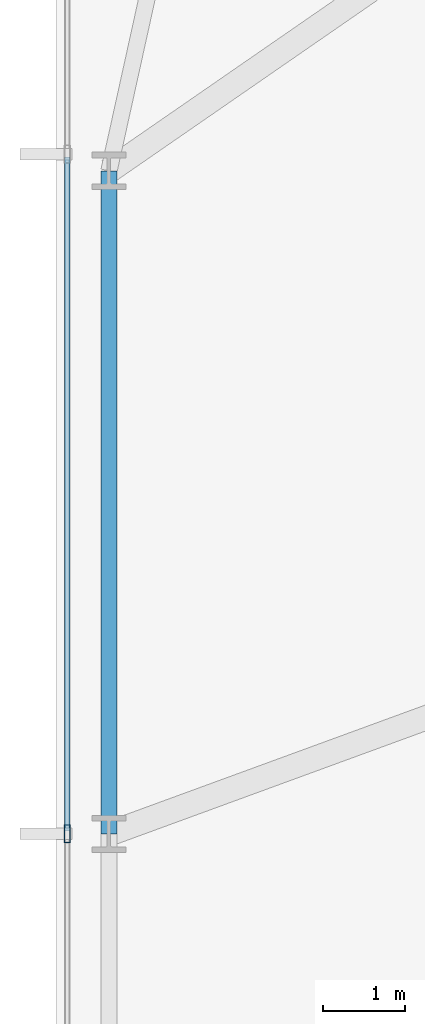
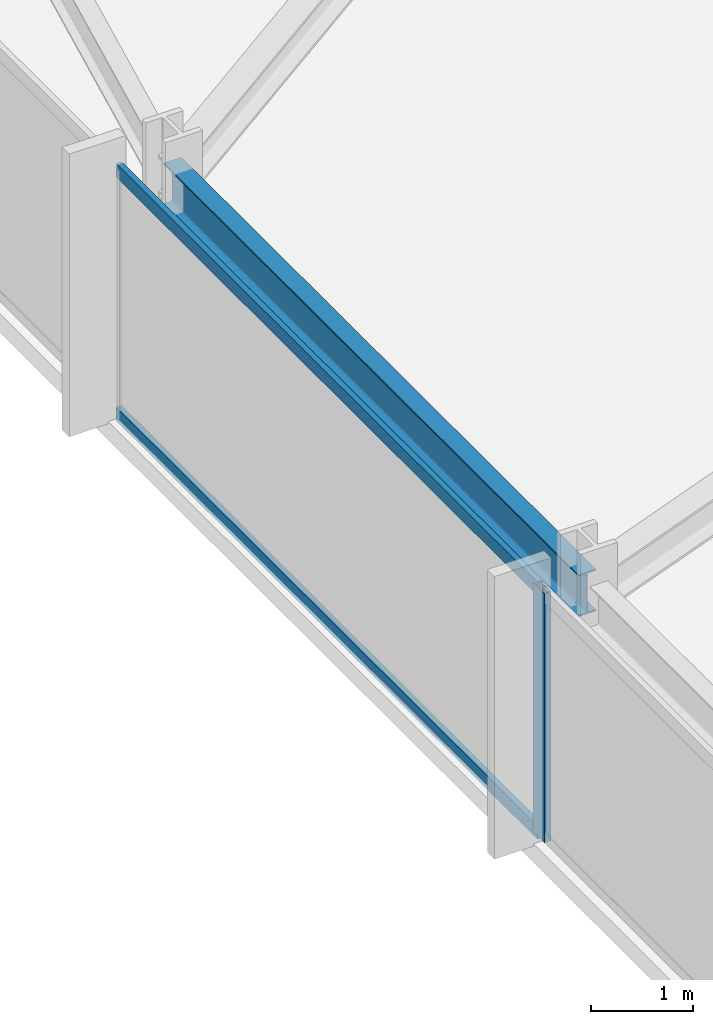
# One storey, part 7 of 32: 3 members, 1 beam, 1 element without a shape of its own.
"""IFC4 building model written with IfcOpenShell, lengths in metres."""

import ifcopenshell
import ifcopenshell.guid

model = None  # the IFC model being written
_history = None  # IfcOwnerHistory: only IFC2X3 demands one
_inside = {}  # id of a spatial element -> (the spatial element, [elements in it])
_under = {}  # id of a project, library or spatial element -> (it, [spatial elements below it])
_declared = {}  # id of a project -> (the project, [libraries it declares])
_typed = {}  # id of a type object -> (the type object, [elements of that type])
_made_of = {}  # id of a material, layer set ... -> (it, [elements and type objects made of it])


def new_model(schema):
    """Start an empty IFC model of exactly this schema.

    Asked for "IFC4X3", IfcOpenShell would pick the latest addendum, in which some entities
    have other attributes; the version numbers below select the first issue.
    IFC2X3 requires an IfcOwnerHistory on every rooted entity: one is made here for all.
    """
    global model, _history
    if schema == "IFC4X3":
        model = ifcopenshell.file(schema_version=(4, 3, 0, 0))
    else:
        model = ifcopenshell.file(schema=schema)
    _inside.clear()
    _under.clear()
    _declared.clear()
    _typed.clear()
    _made_of.clear()
    _history = None
    if model.schema == "IFC2X3":
        org = make("IfcOrganization", Name="unknown")
        user = make(
            "IfcPersonAndOrganization",
            ThePerson=make("IfcPerson", FamilyName="unknown"),
            TheOrganization=org,
        )
        app = make(
            "IfcApplication",
            ApplicationDeveloper=org,
            Version="unknown",
            ApplicationFullName="unknown",
            ApplicationIdentifier="unknown",
        )
        _history = make(
            "IfcOwnerHistory",
            OwningUser=user,
            OwningApplication=app,
            ChangeAction="ADDED",
            CreationDate=0,
        )
    return model


def make(cls, **values):
    """One entity of the class cls with the attributes given. An attribute that is None is left unset."""
    return model.create_entity(
        cls, **{name: value for name, value in values.items() if value is not None}
    )


def rooted(cls, **values):
    """An entity with a GlobalId (a new one), such as an element, a storey or a relation."""
    return make(cls, GlobalId=ifcopenshell.guid.new(), OwnerHistory=_history, **values)


def si_unit(unit_type, name, prefix=None):
    """IfcSIUnit, for example si_unit("LENGTHUNIT", "METRE", prefix="MILLI")."""
    return make("IfcSIUnit", UnitType=unit_type, Prefix=prefix, Name=name)


def assignment(units):
    """IfcUnitAssignment: the units of a project."""
    return None if units is None else make("IfcUnitAssignment", Units=units)


def point(xyz):
    """IfcCartesianPoint."""
    return None if xyz is None else make("IfcCartesianPoint", Coordinates=xyz)


def direction(xyz):
    """IfcDirection."""
    return None if xyz is None else make("IfcDirection", DirectionRatios=xyz)


def frame(location, z_axis=None, x_axis=None):
    """IfcAxis2Placement3D, a coordinate frame: its origin and axes. An axis left out is left unset."""
    return make(
        "IfcAxis2Placement3D",
        Location=point(location),
        Axis=direction(z_axis),
        RefDirection=direction(x_axis),
    )


def frame_2d(location, x_axis=None):
    """IfcAxis2Placement2D, a coordinate frame in the plane: its origin and x axis."""
    return make(
        "IfcAxis2Placement2D", Location=point(location), RefDirection=direction(x_axis)
    )


def origin():
    """The frame at (0, 0, 0) with its axes left unset."""
    return frame((0.0, 0.0, 0.0))


def origin_2d():
    """The frame at (0, 0) in the plane with its x axis left unset."""
    return frame_2d((0.0, 0.0))


def place(relative_to, where):
    """IfcLocalPlacement: puts the frame where relative to a parent placement (None: the world)."""
    return make(
        "IfcLocalPlacement", PlacementRelTo=relative_to, RelativePlacement=where
    )


def context(
    kind, dimensions, precision=None, world=None, true_north=None, identifier=None
):
    """IfcGeometricRepresentationContext, for example the 3D "Model" context."""
    return make(
        "IfcGeometricRepresentationContext",
        ContextIdentifier=identifier,
        ContextType=kind,
        CoordinateSpaceDimension=dimensions,
        Precision=precision,
        WorldCoordinateSystem=world,
        TrueNorth=true_north,
    )


def subcontext(parent, identifier, kind, view, scale=None):
    """IfcGeometricRepresentationSubContext, for example "Body" below "Model"."""
    return make(
        "IfcGeometricRepresentationSubContext",
        ContextIdentifier=identifier,
        ContextType=kind,
        ParentContext=parent,
        TargetScale=scale,
        TargetView=view,
    )


def project(units=None, contexts=None):
    """IfcProject with its units and contexts."""
    return rooted(
        "IfcProject",
        Name="project",
        RepresentationContexts=contexts,
        UnitsInContext=assignment(units),
    )


def spatial(cls, under=None, at=None, **own):
    """A site, building, storey or space (cls), placed at a placement, below another one or the project."""
    s = rooted(cls, ObjectPlacement=at, **own)
    if under is not None:
        _under.setdefault(under.id(), (under, []))[1].append(s)
    return s


def profile(cls, at=None, kind="AREA", **sizes):
    """A parametric profile (cls). Its sizes go by their IFC names, for example OverallWidth=200.0."""
    return make(cls, ProfileType=kind, Position=at, **sizes)


def hollow_rectangle(**sizes):
    """IfcRectangleHollowProfileDef."""
    return profile("IfcRectangleHollowProfileDef", **sizes)


def i_section(**sizes):
    """IfcIShapeProfileDef."""
    return profile("IfcIShapeProfileDef", **sizes)


def extrude(swept, where, along, depth):
    """IfcExtrudedAreaSolid: the profile swept, set in the frame where, extruded along a direction by depth."""
    return make(
        "IfcExtrudedAreaSolid",
        SweptArea=swept,
        Position=where,
        ExtrudedDirection=direction(along),
        Depth=depth,
    )


def shape(context_of_items, identifier, shape_type, items):
    """IfcShapeRepresentation: the items that make up one representation, for example the "Body"."""
    return make(
        "IfcShapeRepresentation",
        ContextOfItems=context_of_items,
        RepresentationIdentifier=identifier,
        RepresentationType=shape_type,
        Items=items,
    )


def material(Name=None, Category=None):
    """IfcMaterial."""
    return make("IfcMaterial", Name=Name, Category=Category)


def material_profile(
    of_material, cross_section, Name=None, Category=None, Priority=None
):
    """IfcMaterialProfile: a cross section and its material."""
    return make(
        "IfcMaterialProfile",
        Name=Name,
        Material=of_material,
        Profile=cross_section,
        Priority=Priority,
        Category=Category,
    )


def profile_set(profiles, Name=None, composite=None):
    """IfcMaterialProfileSet."""
    return make(
        "IfcMaterialProfileSet",
        Name=Name,
        MaterialProfiles=profiles,
        CompositeProfile=composite,
    )


def made_of(thing, what):
    """Note that an element or type object is made of a material, layer set ...; save() writes the relation."""
    if what is not None:
        _made_of.setdefault(what.id(), (what, []))[1].append(thing)
    return thing


def type_object(cls, material=None, **own):
    """A type object (cls), such as IfcWallType, which elements share."""
    return made_of(rooted(cls, **own), material)


def element(
    cls,
    number,
    at=None,
    inside=None,
    cuts=None,
    type_object=None,
    material=None,
    context=None,
    identifier="Body",
    shape_type=None,
    held_by="IfcProductDefinitionShape",
    body=None,
    shapes=None,
    **own,
):
    """One element of the class cls, such as IfcWall. Its Tag is "e" and its number.

    at: its placement. inside: the storey or other place that contains it. cuts: it is an
    opening in that element (IfcRelVoidsElement). A single representation is given by context,
    identifier, shape_type and body (its items); several are given by shapes. held_by: the class
    of the entity that holds the representations. save() writes the other relations.
    """
    e = rooted(cls, Tag="e%d" % number, ObjectPlacement=at, **own)
    if body is not None:
        shapes = [shape(context, identifier, shape_type, body)]
    if shapes is not None:
        e.Representation = make(held_by, Representations=shapes)
    if inside is not None:
        _inside.setdefault(inside.id(), (inside, []))[1].append(e)
    if cuts is not None:
        rooted(
            "IfcRelVoidsElement", RelatingBuildingElement=cuts, RelatedOpeningElement=e
        )
    if type_object is not None:
        _typed.setdefault(type_object.id(), (type_object, []))[1].append(e)
    return made_of(e, material)


def aggregate(whole, parts):
    """IfcRelAggregates: a whole, such as a stair, and the parts it consists of."""
    return rooted("IfcRelAggregates", RelatingObject=whole, RelatedObjects=parts)


def save(model, path):
    """Write the relations noted so far, then the file.

    IfcRelAggregates (storeys below a building ...), IfcRelContainedInSpatialStructure (elements
    in a storey), IfcRelDefinesByType, IfcRelAssociatesMaterial and IfcRelDeclares: one each for
    every whole, place, type object, material and project.
    """
    for whole, parts in _under.values():
        aggregate(whole, parts)
    for where, things in _inside.values():
        rooted(
            "IfcRelContainedInSpatialStructure",
            RelatedElements=things,
            RelatingStructure=where,
        )
    for kind, things in _typed.values():
        rooted("IfcRelDefinesByType", RelatedObjects=things, RelatingType=kind)
    for what, things in _made_of.values():
        rooted("IfcRelAssociatesMaterial", RelatedObjects=things, RelatingMaterial=what)
    for by, libraries in _declared.values():
        rooted("IfcRelDeclares", RelatingContext=by, RelatedDefinitions=libraries)
    model.write(path)


model = new_model("IFC4")

# Units and contexts
model_context = context("Model", 3, precision=1e-05, world=origin(), true_north=direction((0.0, 1.0)))
body_context = subcontext(model_context, "Body", "Model", "MODEL_VIEW")
ifc_project = project(units=[si_unit("LENGTHUNIT", "METRE"), si_unit("AREAUNIT", "SQUARE_METRE"), si_unit("VOLUMEUNIT", "CUBIC_METRE"), si_unit("PLANEANGLEUNIT", "RADIAN"), si_unit("MASSUNIT", "GRAM", prefix="KILO")], contexts=[model_context])

# Site, building, storey
site_placement = place(None, origin())
site = spatial("IfcSite", under=ifc_project, at=site_placement, CompositionType="ELEMENT")
building_placement = place(site_placement, origin())
building = spatial("IfcBuilding", under=site, at=building_placement, Name="Yelkora Congress Tower", CompositionType="ELEMENT")
storey_placement = place(building_placement, frame((0.0, 0.0, 74.60009765625)))
storey = spatial("IfcBuildingStorey", under=building, at=storey_placement, Name="L19", CompositionType="ELEMENT", Elevation=74.60009765625)

# Beam
ifc_material_1 = material(Name="Steel S355J2", Category="steel")
ifc_material_profile_1 = material_profile(ifc_material_1, i_section(OverallWidth=0.199951171875, OverallDepth=0.5, WebThickness=0.01025390625, FlangeThickness=0.01611328125, FilletRadius=0.02099609375, at=origin_2d()), Name="IPE 500")
ifc_profile_set_1 = profile_set([ifc_material_profile_1], Name="Steel S355J2")
beam_type = type_object("IfcBeamType", Name="BM-SPAN-IPE500", PredefinedType="SPANDREL", material=ifc_profile_set_1)
beam_placement = place(storey_placement, frame((6.64990234375, 37.52490234375, 2.72998046875), z_axis=(0.0, -1.0, 0.0), x_axis=(1.0, 0.0, 0.0)))
element("IfcBeam", 1, at=beam_placement, inside=storey, type_object=beam_type, Name="L19 Perimeter Beam 18", PredefinedType="SPANDREL", context=body_context, shape_type="SweptSolid", body=[
    extrude(i_section(OverallWidth=0.199951171875, OverallDepth=0.5, WebThickness=0.01025390625, FlangeThickness=0.01611328125, FilletRadius=0.02099609375, at=origin_2d()), origin(), (0.0, 0.0, 1.0), 8.125),
])

# Curtain wall, members
ifc_material_2 = material(Name="Anodised aluminium and insulated glass", Category="aluminium")
curtain_wall_type = type_object("IfcCurtainWallType", Name="CW-SYS-B1", PredefinedType="NOTDEFINED", material=ifc_material_2)
curtain_wall_placement = place(storey_placement, origin())
curtain_wall = element("IfcCurtainWall", 2, at=curtain_wall_placement, inside=storey, type_object=curtain_wall_type, Name="L19 Unitised Curtain Wall 5", PredefinedType="NOTDEFINED")
ifc_material_3 = material(Name="Anodised aluminium 6063-T6", Category="aluminium")
ifc_material_profile_2 = material_profile(ifc_material_3, hollow_rectangle(XDim=0.074951171875, YDim=0.219970703125, WallThickness=0.0048828125, at=origin_2d()), Name="ALU 75x220x5")
ifc_profile_set_2 = profile_set([ifc_material_profile_2], Name="Anodised aluminium 6063-T6")
member_type_1 = type_object("IfcMemberType", Name="MEM-ML-B1", PredefinedType="MULLION", material=ifc_profile_set_2)
member_1_placement = place(storey_placement, frame((6.139892578125, 29.39990234375, 0.0), z_axis=(0.0, 0.0, 1.0), x_axis=(-1.0, 0.0, 0.0)))
member_1 = element("IfcMember", 3, at=member_1_placement, type_object=member_type_1, Name="CW-B1 mullion 3", PredefinedType="MULLION", context=body_context, shape_type="SweptSolid", body=[
    extrude(hollow_rectangle(XDim=0.074951171875, YDim=0.219970703125, WallThickness=0.0048828125, at=origin_2d()), origin(), (0.0, 0.0, 1.0), 2.97998046875),
])
ifc_material_profile_3 = material_profile(ifc_material_3, hollow_rectangle(XDim=0.06494140625, YDim=0.159912109375, WallThickness=0.00390625, at=origin_2d()), Name="ALU 65x160x4")
ifc_profile_set_3 = profile_set([ifc_material_profile_3], Name="Anodised aluminium 6063-T6")
member_type_2 = type_object("IfcMemberType", Name="MEM-TR-B1", PredefinedType="USERDEFINED", material=ifc_profile_set_3)
member_2_placement = place(storey_placement, frame((6.139892578125, 29.4375, 0.032470703125), z_axis=(0.0, 1.0, 0.0), x_axis=(-1.0, 0.0, 0.0)))
member_2 = element("IfcMember", 4, at=member_2_placement, type_object=member_type_2, Name="CW-B1 transom 3.1", ObjectType="TRANSOM", PredefinedType="USERDEFINED", context=body_context, shape_type="SweptSolid", body=[
    extrude(hollow_rectangle(XDim=0.06494140625, YDim=0.159912109375, WallThickness=0.00390625, at=origin_2d()), origin(), (0.0, 0.0, 1.0), 8.2548828125),
])
member_3_placement = place(storey_placement, frame((6.139892578125, 29.4375, 2.947509765625), z_axis=(0.0, 1.0, 0.0), x_axis=(-1.0, 0.0, 0.0)))
member_3 = element("IfcMember", 5, at=member_3_placement, type_object=member_type_2, Name="CW-B1 transom 3.2", ObjectType="TRANSOM", PredefinedType="USERDEFINED", context=body_context, shape_type="SweptSolid", body=[
    extrude(hollow_rectangle(XDim=0.06494140625, YDim=0.159912109375, WallThickness=0.00390625, at=origin_2d()), origin(), (0.0, 0.0, 1.0), 8.2548828125),
])
aggregate(curtain_wall, [member_1, member_2, member_3])

save(model, "model.ifc")
